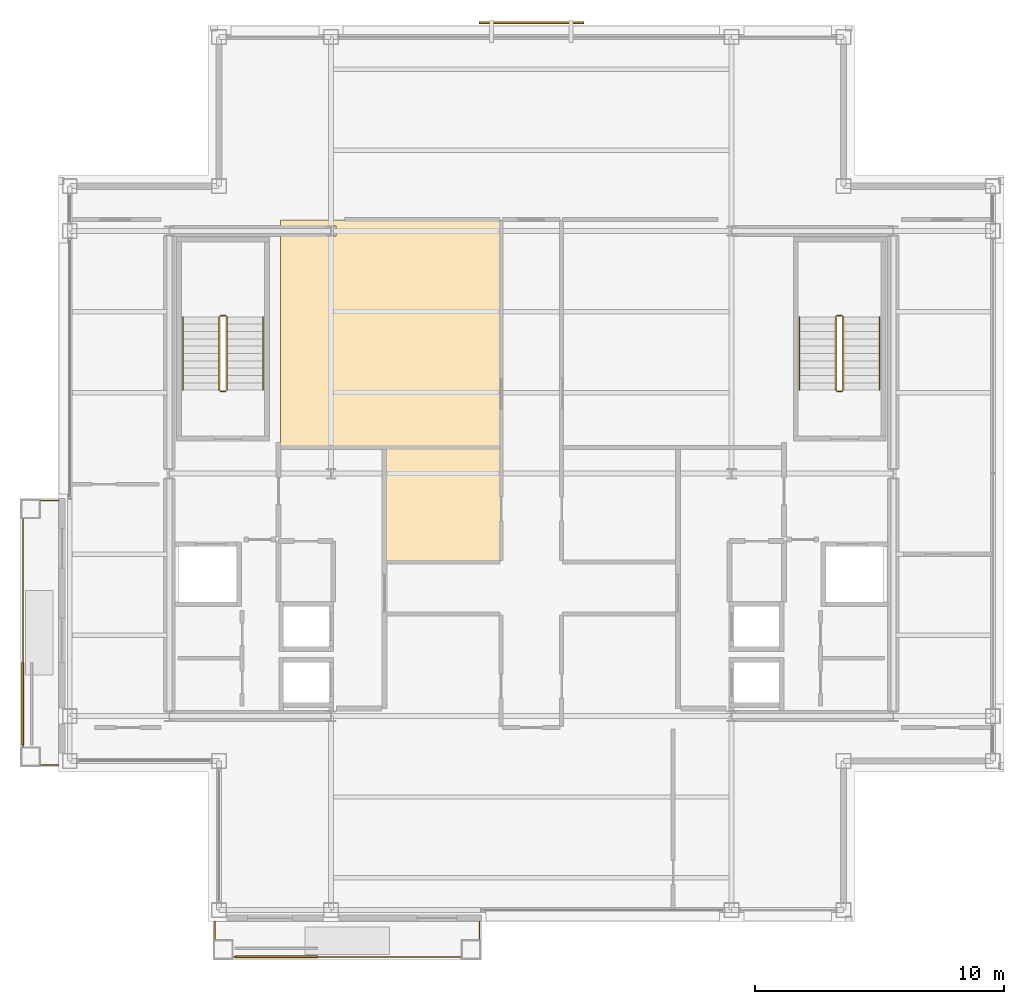
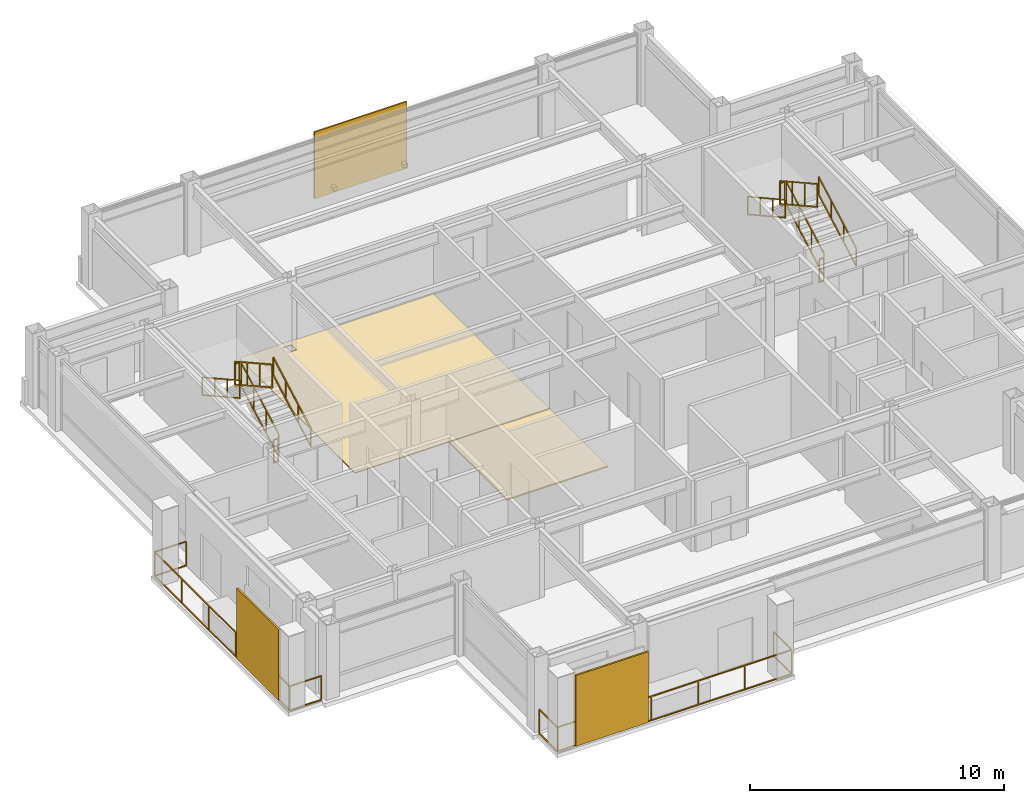
# One storey, part 23 of 24: 14 railings, 3 shading devices, 2 coverings.
"""IFC4 building model written with IfcOpenShell, lengths in metres."""

from ifc_helpers import new_model, si_unit, direction, frame, origin, origin_2d, place, context, subcontext, project, spatial, polyline, rectangle, outline, extrude, material, layer, layer_set, type_object, element, save


model = new_model("IFC4")

# Units and contexts
model_context = context("Model", 3, precision=1e-05, world=origin(), true_north=direction((0.0, 1.0)))
body_context = subcontext(model_context, "Body", "Model", "MODEL_VIEW")
ifc_project = project(units=[si_unit("LENGTHUNIT", "METRE"), si_unit("AREAUNIT", "SQUARE_METRE"), si_unit("VOLUMEUNIT", "CUBIC_METRE"), si_unit("PLANEANGLEUNIT", "RADIAN"), si_unit("MASSUNIT", "GRAM", prefix="KILO")], contexts=[model_context])

# Site, building, storey
site_placement = place(None, origin())
site = spatial("IfcSite", under=ifc_project, at=site_placement, CompositionType="ELEMENT")
building_placement = place(site_placement, origin())
building = spatial("IfcBuilding", under=site, at=building_placement, Name="Brelmoor Portico Tower", CompositionType="ELEMENT")
storey_placement = place(building_placement, frame((0.0, 0.0, 254.39990234375)))
storey = spatial("IfcBuildingStorey", under=building, at=storey_placement, Name="L67", CompositionType="ELEMENT", Elevation=254.39990234375)

# Coverings
ifc_material_1 = material(Name="Calcium-Sulphate Raised Access Floor Panel", Category="steel")
ifc_layer_1 = layer(ifc_material_1, 0.06005859375)
ifc_layer_set_1 = layer_set([ifc_layer_1], Name="Calcium-Sulphate Raised Access Floor Panel")
covering_type_1 = type_object("IfcCoveringType", Name="CV-FLR-ACCESS-60", PredefinedType="FLOORING", material=ifc_layer_set_1)
covering_1_placement = place(storey_placement, origin())
element("IfcCovering", 1, at=covering_1_placement, inside=storey, type_object=covering_type_1, Name="L67 Architectural Floor Finish 02", PredefinedType="FLOORING", context=body_context, shape_type="SweptSolid", body=[
    extrude(outline(polyline([(-5.820068359375, -3.510009765625), (-5.820068359375, 1.0400390625), (-1.239990234375, 1.0400390625), (-1.239990234375, -3.510009765625), (-5.820068359375, -3.510009765625)])), origin(), (0.0, 0.0, 1.0), 0.06005859375),
])
ifc_material_2 = material(Name="Honed Pearl-Grey Granite Paver Finish", Category="masonry")
ifc_layer_2 = layer(ifc_material_2, 0.0380859375)
ifc_layer_set_2 = layer_set([ifc_layer_2], Name="Honed Pearl-Grey Granite Paver Finish")
covering_type_2 = type_object("IfcCoveringType", Name="CV-FLR-GRANITE-38", PredefinedType="FLOORING", material=ifc_layer_set_2)
covering_2_placement = place(storey_placement, origin())
element("IfcCovering", 2, at=covering_2_placement, inside=storey, type_object=covering_type_2, Name="L67 Architectural Floor Finish 01", PredefinedType="FLOORING", context=body_context, shape_type="SweptSolid", body=[
    extrude(outline(polyline([(-10.080078125, 10.18994140625), (-8.5, 10.18994140625), (-8.5, 10.199951171875), (-7.60009765625, 10.199951171875), (-7.60009765625, 10.18994140625), (-1.239990234375, 10.18994140625), (-1.239990234375, 1.090087890625), (-10.080078125, 1.090087890625), (-10.080078125, 10.18994140625)]), holes=[polyline([(-7.85009765625, 9.550048828125), (-7.85009765625, 9.949951171875), (-8.25, 9.949951171875), (-8.25, 9.550048828125), (-7.85009765625, 9.550048828125)])]), origin(), (0.0, 0.0, 1.0), 0.0380859375),
])

# Railings
ifc_material_3 = material(Name="Perforated Pale Champagne Aluminium Fretwork Guard", Category="aluminium")
railing_type_1 = type_object("IfcRailingType", Name="RL-BALUSTRADE-1200", PredefinedType="BALUSTRADE", material=ifc_material_3)
railing_1_placement = place(storey_placement, frame((-12.719970703125, -18.0, 0.0)))
element("IfcRailing", 3, at=railing_1_placement, inside=storey, type_object=railing_type_1, Name="L67 Tree Balcony Fretwork Balustrade S", PredefinedType="BALUSTRADE", context=body_context, shape_type="SweptSolid", body=[
    extrude(rectangle(XDim=0.048095703125, YDim=0.048095703125, at=origin_2d()), frame((0.0, 0.0, 1.17578125), z_axis=(0.0, -1.0, 0.0), x_axis=(1.0, 0.0, 0.0)), (0.0, 0.0, 1.0), 1.429931640625),
    extrude(rectangle(XDim=0.048095703125, YDim=0.048095703125, at=origin_2d()), frame((0.0, 0.0, 0.02392578125), z_axis=(0.0, -1.0, 0.0), x_axis=(1.0, 0.0, 0.0)), (0.0, 0.0, 1.0), 1.429931640625),
    extrude(rectangle(XDim=0.048095703125, YDim=0.048095703125, at=origin_2d()), frame((0.0, -1.429931640625, 1.17578125), z_axis=(1.0, 0.0, 0.0), x_axis=(0.0, 1.0, 0.0)), (0.0, 0.0, 1.0), 10.639892578125),
    extrude(rectangle(XDim=0.048095703125, YDim=0.048095703125, at=origin_2d()), frame((0.0, -1.429931640625, 0.02392578125), z_axis=(1.0, 0.0, 0.0), x_axis=(0.0, 1.0, 0.0)), (0.0, 0.0, 1.0), 10.639892578125),
    extrude(rectangle(XDim=0.048095703125, YDim=0.048095703125, at=origin_2d()), frame((10.639892578125, -1.429931640625, 1.17578125), z_axis=(0.0, 1.0, 0.0), x_axis=(-1.0, 0.0, 0.0)), (0.0, 0.0, 1.0), 1.429931640625),
    extrude(rectangle(XDim=0.048095703125, YDim=0.048095703125, at=origin_2d()), frame((10.639892578125, -1.429931640625, 0.02392578125), z_axis=(0.0, 1.0, 0.0), x_axis=(-1.0, 0.0, 0.0)), (0.0, 0.0, 1.0), 1.429931640625),
    extrude(rectangle(XDim=0.0419921875, YDim=0.0419921875, at=origin_2d()), origin(), (0.0, 0.0, 1.0), 1.15185546875),
    extrude(rectangle(XDim=0.0419921875, YDim=0.0419921875, at=origin_2d()), frame((0.0, -1.429931640625, 0.0)), (0.0, 0.0, 1.0), 1.15185546875),
    extrude(rectangle(XDim=0.0419921875, YDim=0.0419921875, at=origin_2d()), frame((2.1279296875, -1.429931640625, 0.0)), (0.0, 0.0, 1.0), 1.15185546875),
    extrude(rectangle(XDim=0.0419921875, YDim=0.0419921875, at=origin_2d()), frame((4.255859375, -1.429931640625, 0.0)), (0.0, 0.0, 1.0), 1.15185546875),
    extrude(rectangle(XDim=0.0419921875, YDim=0.0419921875, at=origin_2d()), frame((6.384033203125, -1.429931640625, 0.0)), (0.0, 0.0, 1.0), 1.15185546875),
    extrude(rectangle(XDim=0.0419921875, YDim=0.0419921875, at=origin_2d()), frame((8.511962890625, -1.429931640625, 0.0)), (0.0, 0.0, 1.0), 1.15185546875),
    extrude(rectangle(XDim=0.0419921875, YDim=0.0419921875, at=origin_2d()), frame((10.639892578125, -1.429931640625, 0.0)), (0.0, 0.0, 1.0), 1.15185546875),
    extrude(rectangle(XDim=0.0419921875, YDim=0.0419921875, at=origin_2d()), frame((10.639892578125, 0.0, 0.0)), (0.0, 0.0, 1.0), 1.15185546875),
])
railing_2_placement = place(storey_placement, frame((-19.0, -11.719970703125, 0.0)))
element("IfcRailing", 4, at=railing_2_placement, inside=storey, type_object=railing_type_1, Name="L67 Tree Balcony Fretwork Balustrade W", PredefinedType="BALUSTRADE", context=body_context, shape_type="SweptSolid", body=[
    extrude(rectangle(XDim=0.048095703125, YDim=0.048095703125, at=origin_2d()), frame((0.0, 0.0, 1.17578125), z_axis=(-1.0, 0.0, 0.0), x_axis=(0.0, -1.0, 0.0)), (0.0, 0.0, 1.0), 1.429931640625),
    extrude(rectangle(XDim=0.048095703125, YDim=0.048095703125, at=origin_2d()), frame((0.0, 0.0, 0.02392578125), z_axis=(-1.0, 0.0, 0.0), x_axis=(0.0, -1.0, 0.0)), (0.0, 0.0, 1.0), 1.429931640625),
    extrude(rectangle(XDim=0.048095703125, YDim=0.048095703125, at=origin_2d()), frame((-1.429931640625, 0.0, 1.17578125), z_axis=(0.0, 1.0, 0.0), x_axis=(-1.0, 0.0, 0.0)), (0.0, 0.0, 1.0), 10.639892578125),
    extrude(rectangle(XDim=0.048095703125, YDim=0.048095703125, at=origin_2d()), frame((-1.429931640625, 0.0, 0.02392578125), z_axis=(0.0, 1.0, 0.0), x_axis=(-1.0, 0.0, 0.0)), (0.0, 0.0, 1.0), 10.639892578125),
    extrude(rectangle(XDim=0.048095703125, YDim=0.048095703125, at=origin_2d()), frame((-1.429931640625, 10.639892578125, 1.17578125), z_axis=(1.0, 0.0, 0.0), x_axis=(0.0, 1.0, 0.0)), (0.0, 0.0, 1.0), 1.429931640625),
    extrude(rectangle(XDim=0.048095703125, YDim=0.048095703125, at=origin_2d()), frame((-1.429931640625, 10.639892578125, 0.02392578125), z_axis=(1.0, 0.0, 0.0), x_axis=(0.0, 1.0, 0.0)), (0.0, 0.0, 1.0), 1.429931640625),
    extrude(rectangle(XDim=0.0419921875, YDim=0.0419921875, at=origin_2d()), origin(), (0.0, 0.0, 1.0), 1.15185546875),
    extrude(rectangle(XDim=0.0419921875, YDim=0.0419921875, at=origin_2d()), frame((-1.429931640625, 0.0, 0.0)), (0.0, 0.0, 1.0), 1.15185546875),
    extrude(rectangle(XDim=0.0419921875, YDim=0.0419921875, at=origin_2d()), frame((-1.429931640625, 2.1279296875, 0.0)), (0.0, 0.0, 1.0), 1.15185546875),
    extrude(rectangle(XDim=0.0419921875, YDim=0.0419921875, at=origin_2d()), frame((-1.429931640625, 4.255859375, 0.0)), (0.0, 0.0, 1.0), 1.15185546875),
    extrude(rectangle(XDim=0.0419921875, YDim=0.0419921875, at=origin_2d()), frame((-1.429931640625, 6.384033203125, 0.0)), (0.0, 0.0, 1.0), 1.15185546875),
    extrude(rectangle(XDim=0.0419921875, YDim=0.0419921875, at=origin_2d()), frame((-1.429931640625, 8.511962890625, 0.0)), (0.0, 0.0, 1.0), 1.15185546875),
    extrude(rectangle(XDim=0.0419921875, YDim=0.0419921875, at=origin_2d()), frame((-1.429931640625, 10.639892578125, 0.0)), (0.0, 0.0, 1.0), 1.15185546875),
    extrude(rectangle(XDim=0.0419921875, YDim=0.0419921875, at=origin_2d()), frame((0.0, 10.639892578125, 0.0)), (0.0, 0.0, 1.0), 1.15185546875),
])
ifc_material_4 = material(Name="Painted Tubular Steel Q235B", Category="steel")
railing_type_2 = type_object("IfcRailingType", Name="RL-STAIR-GUARD", PredefinedType="GUARDRAIL", material=ifc_material_4)
railing_3_placement = place(storey_placement, frame((-12.239990234375, 3.35009765625, 0.163818359375)))
element("IfcRailing", 5, at=railing_3_placement, inside=storey, type_object=railing_type_2, Name="L67 ST-W stair guard 1", PredefinedType="GUARDRAIL", context=body_context, shape_type="SweptSolid", body=[
    extrude(rectangle(XDim=0.048095703125, YDim=0.048095703125, at=origin_2d()), frame((0.0, 0.0, 1.1259765625), z_axis=(0.0, 0.87448821551, 0.485046761595), x_axis=(-1.0, 0.0, 0.0)), (0.0, 0.0, 1.0), 3.373291015625),
    extrude(rectangle(XDim=0.048095703125, YDim=0.048095703125, at=origin_2d()), frame((0.0, 0.0, 0.02392578125), z_axis=(0.0, 0.87448821551, 0.485046761595), x_axis=(-1.0, 0.0, 0.0)), (0.0, 0.0, 1.0), 3.373291015625),
    extrude(rectangle(XDim=0.0419921875, YDim=0.0419921875, at=origin_2d()), origin(), (0.0, 0.0, 1.0), 1.101806640625),
    extrude(rectangle(XDim=0.0419921875, YDim=0.0419921875, at=origin_2d()), frame((0.0, 0.9833984375, 0.54541015625)), (0.0, 0.0, 1.0), 1.101806640625),
    extrude(rectangle(XDim=0.0419921875, YDim=0.0419921875, at=origin_2d()), frame((0.0, 1.966552734375, 1.0908203125)), (0.0, 0.0, 1.0), 1.101806640625),
    extrude(rectangle(XDim=0.0419921875, YDim=0.0419921875, at=origin_2d()), frame((0.0, 2.949951171875, 1.63623046875)), (0.0, 0.0, 1.0), 1.101806640625),
])
railing_4_placement = place(storey_placement, frame((-12.2900390625, 6.35009765625, 1.800048828125)))
element("IfcRailing", 6, at=railing_4_placement, inside=storey, type_object=railing_type_2, Name="L67 ST-W stair guard 2", PredefinedType="GUARDRAIL", context=body_context, shape_type="SweptSolid", body=[
    extrude(rectangle(XDim=0.048095703125, YDim=0.048095703125, at=origin_2d()), frame((0.0, 0.0, 1.1259765625), z_axis=(-1.0, 0.0, 0.0), x_axis=(0.0, -1.0, 0.0)), (0.0, 0.0, 1.0), 0.199951171875),
    extrude(rectangle(XDim=0.048095703125, YDim=0.048095703125, at=origin_2d()), frame((0.0, 0.0, 0.02392578125), z_axis=(-1.0, 0.0, 0.0), x_axis=(0.0, -1.0, 0.0)), (0.0, 0.0, 1.0), 0.199951171875),
    extrude(rectangle(XDim=0.0419921875, YDim=0.0419921875, at=origin_2d()), origin(), (0.0, 0.0, 1.0), 1.101806640625),
    extrude(rectangle(XDim=0.0419921875, YDim=0.0419921875, at=origin_2d()), frame((-0.199951171875, 0.0, 0.0)), (0.0, 0.0, 1.0), 1.101806640625),
])
railing_5_placement = place(storey_placement, frame((-12.5400390625, 6.300048828125, 1.963623046875)))
element("IfcRailing", 7, at=railing_5_placement, inside=storey, type_object=railing_type_2, Name="L67 ST-W stair guard 3", PredefinedType="GUARDRAIL", context=body_context, shape_type="SweptSolid", body=[
    extrude(rectangle(XDim=0.048095703125, YDim=0.048095703125, at=origin_2d()), frame((0.0, 0.0, 1.1259765625), z_axis=(0.0, -0.874457516365, 0.485102104791), x_axis=(1.0, 0.0, 0.0)), (0.0, 0.0, 1.0), 3.37353515625),
    extrude(rectangle(XDim=0.048095703125, YDim=0.048095703125, at=origin_2d()), frame((0.0, 0.0, 0.02392578125), z_axis=(0.0, -0.874457516365, 0.485102104791), x_axis=(1.0, 0.0, 0.0)), (0.0, 0.0, 1.0), 3.37353515625),
    extrude(rectangle(XDim=0.0419921875, YDim=0.0419921875, at=origin_2d()), origin(), (0.0, 0.0, 1.0), 1.101806640625),
    extrude(rectangle(XDim=0.0419921875, YDim=0.0419921875, at=origin_2d()), frame((0.0, -0.9833984375, 0.54541015625)), (0.0, 0.0, 1.0), 1.101806640625),
    extrude(rectangle(XDim=0.0419921875, YDim=0.0419921875, at=origin_2d()), frame((0.0, -1.966552734375, 1.091064453125)), (0.0, 0.0, 1.0), 1.101806640625),
    extrude(rectangle(XDim=0.0419921875, YDim=0.0419921875, at=origin_2d()), frame((0.0, -2.949951171875, 1.636474609375)), (0.0, 0.0, 1.0), 1.101806640625),
])
railing_6_placement = place(storey_placement, frame((-12.2900390625, 3.300048828125, 0.0)))
element("IfcRailing", 8, at=railing_6_placement, inside=storey, type_object=railing_type_2, Name="L67 ST-W stair guard 4", PredefinedType="GUARDRAIL", context=body_context, shape_type="SweptSolid", body=[
    extrude(rectangle(XDim=0.048095703125, YDim=0.048095703125, at=origin_2d()), frame((0.0, 0.0, 1.1259765625), z_axis=(-1.0, 0.0, 0.0), x_axis=(0.0, -1.0, 0.0)), (0.0, 0.0, 1.0), 0.199951171875),
    extrude(rectangle(XDim=0.048095703125, YDim=0.048095703125, at=origin_2d()), frame((0.0, 0.0, 0.02392578125), z_axis=(-1.0, 0.0, 0.0), x_axis=(0.0, -1.0, 0.0)), (0.0, 0.0, 1.0), 0.199951171875),
    extrude(rectangle(XDim=0.0419921875, YDim=0.0419921875, at=origin_2d()), origin(), (0.0, 0.0, 1.0), 1.101806640625),
    extrude(rectangle(XDim=0.0419921875, YDim=0.0419921875, at=origin_2d()), frame((-0.199951171875, 0.0, 0.0)), (0.0, 0.0, 1.0), 1.101806640625),
])
railing_7_placement = place(storey_placement, frame((12.5400390625, 3.35009765625, 0.163818359375)))
element("IfcRailing", 9, at=railing_7_placement, inside=storey, type_object=railing_type_2, Name="L67 ST-E stair guard 1", PredefinedType="GUARDRAIL", context=body_context, shape_type="SweptSolid", body=[
    extrude(rectangle(XDim=0.048095703125, YDim=0.048095703125, at=origin_2d()), frame((0.0, 0.0, 1.1259765625), z_axis=(0.0, 0.87448821551, 0.485046761595), x_axis=(-1.0, 0.0, 0.0)), (0.0, 0.0, 1.0), 3.373291015625),
    extrude(rectangle(XDim=0.048095703125, YDim=0.048095703125, at=origin_2d()), frame((0.0, 0.0, 0.02392578125), z_axis=(0.0, 0.87448821551, 0.485046761595), x_axis=(-1.0, 0.0, 0.0)), (0.0, 0.0, 1.0), 3.373291015625),
    extrude(rectangle(XDim=0.0419921875, YDim=0.0419921875, at=origin_2d()), origin(), (0.0, 0.0, 1.0), 1.101806640625),
    extrude(rectangle(XDim=0.0419921875, YDim=0.0419921875, at=origin_2d()), frame((0.0, 0.9833984375, 0.54541015625)), (0.0, 0.0, 1.0), 1.101806640625),
    extrude(rectangle(XDim=0.0419921875, YDim=0.0419921875, at=origin_2d()), frame((0.0, 1.966552734375, 1.0908203125)), (0.0, 0.0, 1.0), 1.101806640625),
    extrude(rectangle(XDim=0.0419921875, YDim=0.0419921875, at=origin_2d()), frame((0.0, 2.949951171875, 1.63623046875)), (0.0, 0.0, 1.0), 1.101806640625),
])
railing_8_placement = place(storey_placement, frame((12.489990234375, 6.35009765625, 1.800048828125)))
element("IfcRailing", 10, at=railing_8_placement, inside=storey, type_object=railing_type_2, Name="L67 ST-E stair guard 2", PredefinedType="GUARDRAIL", context=body_context, shape_type="SweptSolid", body=[
    extrude(rectangle(XDim=0.048095703125, YDim=0.048095703125, at=origin_2d()), frame((0.0, 0.0, 1.1259765625), z_axis=(-1.0, 0.0, 0.0), x_axis=(0.0, -1.0, 0.0)), (0.0, 0.0, 1.0), 0.199951171875),
    extrude(rectangle(XDim=0.048095703125, YDim=0.048095703125, at=origin_2d()), frame((0.0, 0.0, 0.02392578125), z_axis=(-1.0, 0.0, 0.0), x_axis=(0.0, -1.0, 0.0)), (0.0, 0.0, 1.0), 0.199951171875),
    extrude(rectangle(XDim=0.0419921875, YDim=0.0419921875, at=origin_2d()), origin(), (0.0, 0.0, 1.0), 1.101806640625),
    extrude(rectangle(XDim=0.0419921875, YDim=0.0419921875, at=origin_2d()), frame((-0.199951171875, 0.0, 0.0)), (0.0, 0.0, 1.0), 1.101806640625),
])
railing_9_placement = place(storey_placement, frame((12.239990234375, 6.300048828125, 1.963623046875)))
element("IfcRailing", 11, at=railing_9_placement, inside=storey, type_object=railing_type_2, Name="L67 ST-E stair guard 3", PredefinedType="GUARDRAIL", context=body_context, shape_type="SweptSolid", body=[
    extrude(rectangle(XDim=0.048095703125, YDim=0.048095703125, at=origin_2d()), frame((0.0, 0.0, 1.1259765625), z_axis=(0.0, -0.874457516365, 0.485102104791), x_axis=(1.0, 0.0, 0.0)), (0.0, 0.0, 1.0), 3.37353515625),
    extrude(rectangle(XDim=0.048095703125, YDim=0.048095703125, at=origin_2d()), frame((0.0, 0.0, 0.02392578125), z_axis=(0.0, -0.874457516365, 0.485102104791), x_axis=(1.0, 0.0, 0.0)), (0.0, 0.0, 1.0), 3.37353515625),
    extrude(rectangle(XDim=0.0419921875, YDim=0.0419921875, at=origin_2d()), origin(), (0.0, 0.0, 1.0), 1.101806640625),
    extrude(rectangle(XDim=0.0419921875, YDim=0.0419921875, at=origin_2d()), frame((0.0, -0.9833984375, 0.54541015625)), (0.0, 0.0, 1.0), 1.101806640625),
    extrude(rectangle(XDim=0.0419921875, YDim=0.0419921875, at=origin_2d()), frame((0.0, -1.966552734375, 1.091064453125)), (0.0, 0.0, 1.0), 1.101806640625),
    extrude(rectangle(XDim=0.0419921875, YDim=0.0419921875, at=origin_2d()), frame((0.0, -2.949951171875, 1.636474609375)), (0.0, 0.0, 1.0), 1.101806640625),
])
railing_10_placement = place(storey_placement, frame((12.489990234375, 3.300048828125, 0.0)))
element("IfcRailing", 12, at=railing_10_placement, inside=storey, type_object=railing_type_2, Name="L67 ST-E stair guard 4", PredefinedType="GUARDRAIL", context=body_context, shape_type="SweptSolid", body=[
    extrude(rectangle(XDim=0.048095703125, YDim=0.048095703125, at=origin_2d()), frame((0.0, 0.0, 1.1259765625), z_axis=(-1.0, 0.0, 0.0), x_axis=(0.0, -1.0, 0.0)), (0.0, 0.0, 1.0), 0.199951171875),
    extrude(rectangle(XDim=0.048095703125, YDim=0.048095703125, at=origin_2d()), frame((0.0, 0.0, 0.02392578125), z_axis=(-1.0, 0.0, 0.0), x_axis=(0.0, -1.0, 0.0)), (0.0, 0.0, 1.0), 0.199951171875),
    extrude(rectangle(XDim=0.0419921875, YDim=0.0419921875, at=origin_2d()), origin(), (0.0, 0.0, 1.0), 1.101806640625),
    extrude(rectangle(XDim=0.0419921875, YDim=0.0419921875, at=origin_2d()), frame((-0.199951171875, 0.0, 0.0)), (0.0, 0.0, 1.0), 1.101806640625),
])
ifc_material_5 = material(Name="Brushed Stainless Steel 304", Category="steel")
railing_type_3 = type_object("IfcRailingType", Name="RL-STAIR-HANDRAIL", PredefinedType="HANDRAIL", material=ifc_material_5)
railing_11_placement = place(storey_placement, frame((-10.780029296875, 3.35009765625, 0.163818359375)))
element("IfcRailing", 13, at=railing_11_placement, inside=storey, type_object=railing_type_3, Name="L67 ST-W stair handrail 1", PredefinedType="HANDRAIL", context=body_context, shape_type="SweptSolid", body=[
    extrude(rectangle(XDim=0.048095703125, YDim=0.048095703125, at=origin_2d()), frame((0.0, 0.0, 0.8759765625), z_axis=(0.0, 0.87448821551, 0.485046761595), x_axis=(-1.0, 0.0, 0.0)), (0.0, 0.0, 1.0), 3.373291015625),
    extrude(rectangle(XDim=0.048095703125, YDim=0.048095703125, at=origin_2d()), frame((0.0, 0.0, 0.02392578125), z_axis=(0.0, 0.87448821551, 0.485046761595), x_axis=(-1.0, 0.0, 0.0)), (0.0, 0.0, 1.0), 3.373291015625),
    extrude(rectangle(XDim=0.0419921875, YDim=0.0419921875, at=origin_2d()), origin(), (0.0, 0.0, 1.0), 0.851806640625),
    extrude(rectangle(XDim=0.0419921875, YDim=0.0419921875, at=origin_2d()), frame((0.0, 0.9833984375, 0.54541015625)), (0.0, 0.0, 1.0), 0.851806640625),
    extrude(rectangle(XDim=0.0419921875, YDim=0.0419921875, at=origin_2d()), frame((0.0, 1.966552734375, 1.0908203125)), (0.0, 0.0, 1.0), 0.851806640625),
    extrude(rectangle(XDim=0.0419921875, YDim=0.0419921875, at=origin_2d()), frame((0.0, 2.949951171875, 1.63623046875)), (0.0, 0.0, 1.0), 0.851806640625),
])
railing_12_placement = place(storey_placement, frame((-14.0, 6.300048828125, 1.963623046875)))
element("IfcRailing", 14, at=railing_12_placement, inside=storey, type_object=railing_type_3, Name="L67 ST-W stair handrail 2", PredefinedType="HANDRAIL", context=body_context, shape_type="SweptSolid", body=[
    extrude(rectangle(XDim=0.048095703125, YDim=0.048095703125, at=origin_2d()), frame((0.0, 0.0, 0.8759765625), z_axis=(0.0, -0.874457516365, 0.485102104791), x_axis=(1.0, 0.0, 0.0)), (0.0, 0.0, 1.0), 3.37353515625),
    extrude(rectangle(XDim=0.048095703125, YDim=0.048095703125, at=origin_2d()), frame((0.0, 0.0, 0.02392578125), z_axis=(0.0, -0.874457516365, 0.485102104791), x_axis=(1.0, 0.0, 0.0)), (0.0, 0.0, 1.0), 3.37353515625),
    extrude(rectangle(XDim=0.0419921875, YDim=0.0419921875, at=origin_2d()), origin(), (0.0, 0.0, 1.0), 0.851806640625),
    extrude(rectangle(XDim=0.0419921875, YDim=0.0419921875, at=origin_2d()), frame((0.0, -0.9833984375, 0.54541015625)), (0.0, 0.0, 1.0), 0.851806640625),
    extrude(rectangle(XDim=0.0419921875, YDim=0.0419921875, at=origin_2d()), frame((0.0, -1.966552734375, 1.091064453125)), (0.0, 0.0, 1.0), 0.851806640625),
    extrude(rectangle(XDim=0.0419921875, YDim=0.0419921875, at=origin_2d()), frame((0.0, -2.949951171875, 1.636474609375)), (0.0, 0.0, 1.0), 0.851806640625),
])
railing_13_placement = place(storey_placement, frame((14.0, 3.35009765625, 0.163818359375)))
element("IfcRailing", 15, at=railing_13_placement, inside=storey, type_object=railing_type_3, Name="L67 ST-E stair handrail 1", PredefinedType="HANDRAIL", context=body_context, shape_type="SweptSolid", body=[
    extrude(rectangle(XDim=0.048095703125, YDim=0.048095703125, at=origin_2d()), frame((0.0, 0.0, 0.8759765625), z_axis=(0.0, 0.87448821551, 0.485046761595), x_axis=(-1.0, 0.0, 0.0)), (0.0, 0.0, 1.0), 3.373291015625),
    extrude(rectangle(XDim=0.048095703125, YDim=0.048095703125, at=origin_2d()), frame((0.0, 0.0, 0.02392578125), z_axis=(0.0, 0.87448821551, 0.485046761595), x_axis=(-1.0, 0.0, 0.0)), (0.0, 0.0, 1.0), 3.373291015625),
    extrude(rectangle(XDim=0.0419921875, YDim=0.0419921875, at=origin_2d()), origin(), (0.0, 0.0, 1.0), 0.851806640625),
    extrude(rectangle(XDim=0.0419921875, YDim=0.0419921875, at=origin_2d()), frame((0.0, 0.9833984375, 0.54541015625)), (0.0, 0.0, 1.0), 0.851806640625),
    extrude(rectangle(XDim=0.0419921875, YDim=0.0419921875, at=origin_2d()), frame((0.0, 1.966552734375, 1.0908203125)), (0.0, 0.0, 1.0), 0.851806640625),
    extrude(rectangle(XDim=0.0419921875, YDim=0.0419921875, at=origin_2d()), frame((0.0, 2.949951171875, 1.63623046875)), (0.0, 0.0, 1.0), 0.851806640625),
])
railing_14_placement = place(storey_placement, frame((10.780029296875, 6.300048828125, 1.963623046875)))
element("IfcRailing", 16, at=railing_14_placement, inside=storey, type_object=railing_type_3, Name="L67 ST-E stair handrail 2", PredefinedType="HANDRAIL", context=body_context, shape_type="SweptSolid", body=[
    extrude(rectangle(XDim=0.048095703125, YDim=0.048095703125, at=origin_2d()), frame((0.0, 0.0, 0.8759765625), z_axis=(0.0, -0.874457516365, 0.485102104791), x_axis=(1.0, 0.0, 0.0)), (0.0, 0.0, 1.0), 3.37353515625),
    extrude(rectangle(XDim=0.048095703125, YDim=0.048095703125, at=origin_2d()), frame((0.0, 0.0, 0.02392578125), z_axis=(0.0, -0.874457516365, 0.485102104791), x_axis=(1.0, 0.0, 0.0)), (0.0, 0.0, 1.0), 3.37353515625),
    extrude(rectangle(XDim=0.0419921875, YDim=0.0419921875, at=origin_2d()), origin(), (0.0, 0.0, 1.0), 0.851806640625),
    extrude(rectangle(XDim=0.0419921875, YDim=0.0419921875, at=origin_2d()), frame((0.0, -0.9833984375, 0.54541015625)), (0.0, 0.0, 1.0), 0.851806640625),
    extrude(rectangle(XDim=0.0419921875, YDim=0.0419921875, at=origin_2d()), frame((0.0, -1.966552734375, 1.091064453125)), (0.0, 0.0, 1.0), 0.851806640625),
    extrude(rectangle(XDim=0.0419921875, YDim=0.0419921875, at=origin_2d()), frame((0.0, -2.949951171875, 1.636474609375)), (0.0, 0.0, 1.0), 0.851806640625),
])

# Shading devices
ifc_material_6 = material(Name="Powder-Coated Aluminium Shuttered Jalousie", Category="aluminium")
ifc_layer_3 = layer(ifc_material_6, 0.080078125)
ifc_layer_set_3 = layer_set([ifc_layer_3], Name="Powder-Coated Aluminium Shuttered Jalousie")
shading_device_type_1 = type_object("IfcShadingDeviceType", Name="SD-JALOUSIE-LOGGIA", PredefinedType="JALOUSIE", material=ifc_layer_set_3)
for number, where, z_axis, x_axis, name in (
    (17, (-10.25, -19.429931640625, 0.000244140625), (0.0, 0.0, 1.0), (1.0, 0.0, 0.0), "L67 Loggia Shuttered Jalousie S"),
    (18, (-20.429931640625, -9.25, 0.000244140625), (0.0, 0.0, 1.0), (0.0, 1.0, 0.0), "L67 Loggia Shuttered Jalousie W"),
):
    element("IfcShadingDevice", number, at=place(storey_placement, frame(where, z_axis=z_axis, x_axis=x_axis)), inside=storey, type_object=shading_device_type_1, Name=name, PredefinedType="JALOUSIE", context=body_context, shape_type="SweptSolid", body=[
        extrude(rectangle(XDim=3.300048828125, YDim=0.080078125, at=origin_2d()), origin(), (0.0, 0.0, 1.0), 3.39990234375),
    ])
ifc_material_7 = material(Name="Perforated Pale Champagne Aluminium Solar Screen", Category="aluminium")
ifc_layer_4 = layer(ifc_material_7, 0.06494140625)
ifc_layer_set_4 = layer_set([ifc_layer_4], Name="Perforated Pale Champagne Aluminium Solar Screen")
shading_device_type_2 = type_object("IfcShadingDeviceType", Name="SD-SOLAR-SCREEN", PredefinedType="USERDEFINED", material=ifc_layer_set_4)
shading_device_placement = place(storey_placement, frame((0.0, 18.1201171875, 0.10009765625), z_axis=(0.0, 0.0, 1.0), x_axis=(1.0, 0.0, 0.0)))
element("IfcShadingDevice", 19, at=shading_device_placement, inside=storey, type_object=shading_device_type_2, Name="L67 Perforated Solar Screen N1", ObjectType="SCREEN", PredefinedType="USERDEFINED", context=body_context, shape_type="SweptSolid", body=[
    extrude(rectangle(XDim=4.199951171875, YDim=0.06494140625, at=origin_2d()), origin(), (0.0, 0.0, 1.0), 3.199951171875),
])

save(model, "model.ifc")
